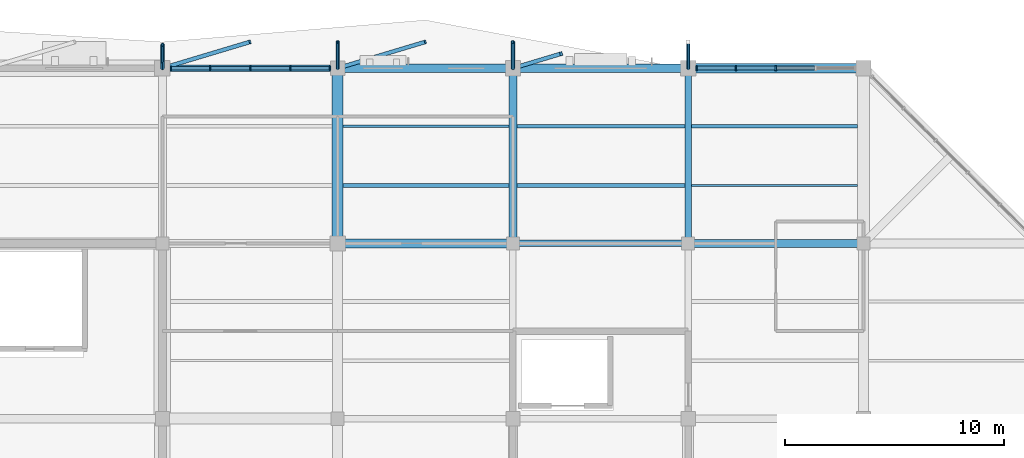
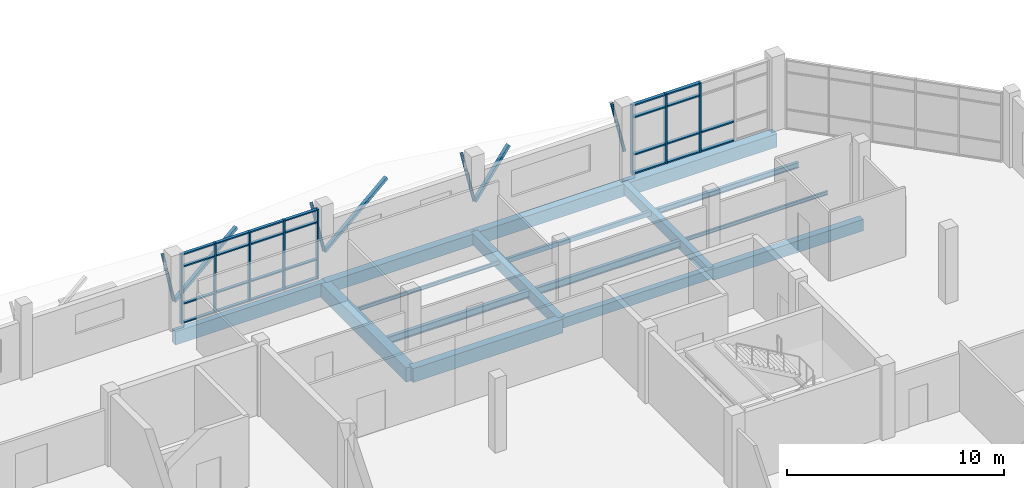
# One storey, part 33 of 84: 41 members, 16 beams, 2 elements without a shape of their own.
"""IFC4 building model written with IfcOpenShell, lengths in metres."""

from ifc_helpers import new_model, si_unit, direction, frame, origin, origin_2d, place, context, subcontext, project, spatial, rectangle, hollow_rectangle, hollow_circle, i_section, extrude, material, material_profile, profile_set, type_object, element, aggregate, save


model = new_model("IFC4")

# Units and contexts
model_context = context("Model", 3, precision=1e-05, world=origin(), true_north=direction((0.0, 1.0)))
body_context = subcontext(model_context, "Body", "Model", "MODEL_VIEW")
ifc_project = project(units=[si_unit("LENGTHUNIT", "METRE"), si_unit("AREAUNIT", "SQUARE_METRE"), si_unit("VOLUMEUNIT", "CUBIC_METRE"), si_unit("PLANEANGLEUNIT", "RADIAN"), si_unit("MASSUNIT", "GRAM", prefix="KILO")], contexts=[model_context])

# Site, building, storey
site_placement = place(None, origin())
site = spatial("IfcSite", under=ifc_project, at=site_placement, CompositionType="ELEMENT")
building_placement = place(site_placement, origin())
building = spatial("IfcBuilding", under=site, at=building_placement, Name="Tenunan Teduh Sports Hall", CompositionType="ELEMENT")
storey_placement = place(building_placement, frame((0.0, 0.0, 10.800048828125)))
storey = spatial("IfcBuildingStorey", under=building, at=storey_placement, Name="L02", CompositionType="ELEMENT", Elevation=10.800048828125)

# Beams
ifc_material_1 = material(Name="Concrete C40/50", Category="concrete")
ifc_material_profile_1 = material_profile(ifc_material_1, rectangle(XDim=0.300048828125, YDim=0.550048828125, at=origin_2d()), Name="RCB 300x550")
ifc_profile_set_1 = profile_set([ifc_material_profile_1], Name="Concrete C40/50")
beam_type_1 = type_object("IfcBeamType", Name="BM-RC-300x550", PredefinedType="BEAM", material=ifc_profile_set_1)
beam_1_placement = place(storey_placement, frame((54.0, 110.0, -0.53515625), z_axis=(1.0, 0.0, 0.0), x_axis=(0.0, 1.0, 0.0)))
element("IfcBeam", 1, at=beam_1_placement, inside=storey, type_object=beam_type_1, Name="BM-B-02-L02-1547", PredefinedType="BEAM", context=body_context, shape_type="SweptSolid", body=[
    extrude(rectangle(XDim=0.300048828125, YDim=0.550048828125, at=origin_2d()), origin(), (0.0, 0.0, 1.0), 8.0),
])
ifc_material_2 = material(Name="Concrete C40/50", Category="concrete")
ifc_material_profile_2 = material_profile(ifc_material_2, rectangle(XDim=0.300048828125, YDim=0.60009765625, at=origin_2d()), Name="RCB 300x600")
ifc_profile_set_2 = profile_set([ifc_material_profile_2], Name="Concrete C40/50")
beam_type_2 = type_object("IfcBeamType", Name="BM-RC-300x600", PredefinedType="BEAM", material=ifc_profile_set_2)
beam_2_placement = place(storey_placement, frame((62.0, 110.0, -0.56005859375), z_axis=(0.0, 1.0, 0.0), x_axis=(-1.0, 0.0, 0.0)))
element("IfcBeam", 2, at=beam_2_placement, inside=storey, type_object=beam_type_2, Name="BM-B-03-L02-1615", PredefinedType="BEAM", context=body_context, shape_type="SweptSolid", body=[
    extrude(rectangle(XDim=0.300048828125, YDim=0.60009765625, at=origin_2d()), origin(), (0.0, 0.0, 1.0), 8.0),
])
ifc_material_3 = material(Name="Concrete C40/50", Category="concrete")
ifc_material_profile_3 = material_profile(ifc_material_3, rectangle(XDim=0.35009765625, YDim=0.64990234375, at=origin_2d()), Name="RCB 350x650")
ifc_profile_set_3 = profile_set([ifc_material_profile_3], Name="Concrete C40/50")
beam_type_3 = type_object("IfcBeamType", Name="BM-RC-350x650", PredefinedType="BEAM", material=ifc_profile_set_3)
for number, where, z_axis, x_axis, name in (
    (3, (62.0, 110.0, -0.5849609375), (1.0, 0.0, 0.0), (0.0, 1.0, 0.0), "BM-B-05-L02-1548"),
    (4, (54.0, 110.0, -0.5849609375), (0.0, 1.0, 0.0), (-1.0, 0.0, 0.0), "BM-B-05-L02-1611"),
):
    element("IfcBeam", number, at=place(storey_placement, frame(where, z_axis=z_axis, x_axis=x_axis)), inside=storey, type_object=beam_type_3, Name=name, PredefinedType="BEAM", context=body_context, shape_type="SweptSolid", body=[
        extrude(rectangle(XDim=0.35009765625, YDim=0.64990234375, at=origin_2d()), origin(), (0.0, 0.0, 1.0), 8.0),
    ])
ifc_material_4 = material(Name="Concrete C40/50", Category="concrete")
ifc_material_profile_4 = material_profile(ifc_material_4, rectangle(XDim=0.39990234375, YDim=0.64990234375, at=origin_2d()), Name="RCB 400x650")
ifc_profile_set_4 = profile_set([ifc_material_profile_4], Name="Concrete C40/50")
beam_type_4 = type_object("IfcBeamType", Name="BM-RC-400x650", PredefinedType="BEAM", material=ifc_profile_set_4)
beam_3_placement = place(storey_placement, frame((46.0, 118.0, -0.5849609375), z_axis=(1.0, 0.0, 0.0), x_axis=(0.0, 1.0, 0.0)))
element("IfcBeam", 5, at=beam_3_placement, inside=storey, type_object=beam_type_4, Name="BM-B-07-L02-1562", PredefinedType="BEAM", context=body_context, shape_type="SweptSolid", body=[
    extrude(rectangle(XDim=0.39990234375, YDim=0.64990234375, at=origin_2d()), origin(), (0.0, 0.0, 1.0), 8.0),
])
ifc_material_5 = material(Name="Concrete C40/50", Category="concrete")
ifc_material_profile_5 = material_profile(ifc_material_5, rectangle(XDim=0.39990234375, YDim=0.699951171875, at=origin_2d()), Name="RCB 400x700")
ifc_profile_set_5 = profile_set([ifc_material_profile_5], Name="Concrete C40/50")
beam_type_5 = type_object("IfcBeamType", Name="BM-RC-400x700", PredefinedType="BEAM", material=ifc_profile_set_5)
beam_4_placement = place(storey_placement, frame((54.0, 118.0, -0.610107421875), z_axis=(1.0, 0.0, 0.0), x_axis=(0.0, 1.0, 0.0)))
element("IfcBeam", 6, at=beam_4_placement, inside=storey, type_object=beam_type_5, Name="BM-B-08-L02-1563", PredefinedType="BEAM", context=body_context, shape_type="SweptSolid", body=[
    extrude(rectangle(XDim=0.39990234375, YDim=0.699951171875, at=origin_2d()), origin(), (0.0, 0.0, 1.0), 8.0),
])
ifc_material_6 = material(Name="Concrete C40/50", Category="concrete")
ifc_material_profile_6 = material_profile(ifc_material_6, rectangle(XDim=0.449951171875, YDim=0.75, at=origin_2d()), Name="RCB 450x750")
ifc_profile_set_6 = profile_set([ifc_material_profile_6], Name="Concrete C40/50")
beam_type_6 = type_object("IfcBeamType", Name="BM-RC-450x750", PredefinedType="BEAM", material=ifc_profile_set_6)
beam_5_placement = place(storey_placement, frame((62.0, 118.0, -0.635009765625), z_axis=(1.0, 0.0, 0.0), x_axis=(0.0, 1.0, 0.0)))
element("IfcBeam", 7, at=beam_5_placement, inside=storey, type_object=beam_type_6, Name="BM-B-11-L02-1564", PredefinedType="BEAM", context=body_context, shape_type="SweptSolid", body=[
    extrude(rectangle(XDim=0.449951171875, YDim=0.75, at=origin_2d()), origin(), (0.0, 0.0, 1.0), 8.0),
])
ifc_material_7 = material(Name="Concrete C40/50", Category="concrete")
ifc_material_profile_7 = material_profile(ifc_material_7, rectangle(XDim=0.5, YDim=0.800048828125, at=origin_2d()), Name="RCB 500x800")
ifc_profile_set_7 = profile_set([ifc_material_profile_7], Name="Concrete C40/50")
beam_type_7 = type_object("IfcBeamType", Name="BM-RC-500x800", PredefinedType="BEAM", material=ifc_profile_set_7)
beam_6_placement = place(storey_placement, frame((46.0, 110.0, -0.66015625), z_axis=(0.0, 1.0, 0.0), x_axis=(-1.0, 0.0, 0.0)))
element("IfcBeam", 8, at=beam_6_placement, inside=storey, type_object=beam_type_7, Name="BM-B-14-L02-1607", PredefinedType="BEAM", context=body_context, shape_type="SweptSolid", body=[
    extrude(rectangle(XDim=0.5, YDim=0.800048828125, at=origin_2d()), origin(), (0.0, 0.0, 1.0), 8.0),
])
ifc_material_8 = material(Name="Concrete C40/50", Category="concrete")
ifc_material_profile_8 = material_profile(ifc_material_8, rectangle(XDim=0.300048828125, YDim=0.75, at=origin_2d()), Name="SPB 300x750")
ifc_profile_set_8 = profile_set([ifc_material_profile_8], Name="Concrete C40/50")
beam_type_8 = type_object("IfcBeamType", Name="BM-SP-300x750", PredefinedType="SPANDREL", material=ifc_profile_set_8)
beam_7_placement = place(storey_placement, frame((38.0, 118.0, -0.635009765625), z_axis=(1.0, 0.0, 0.0), x_axis=(0.0, 1.0, 0.0)))
element("IfcBeam", 9, at=beam_7_placement, inside=storey, type_object=beam_type_8, Name="BM-SP-01-L02-1561", PredefinedType="SPANDREL", context=body_context, shape_type="SweptSolid", body=[
    extrude(rectangle(XDim=0.300048828125, YDim=0.75, at=origin_2d()), origin(), (0.0, 0.0, 1.0), 8.0),
])
ifc_material_9 = material(Name="Concrete C40/50", Category="concrete")
ifc_material_profile_9 = material_profile(ifc_material_9, rectangle(XDim=0.39990234375, YDim=0.780029296875, at=origin_2d()), Name="TB 400x780")
ifc_profile_set_9 = profile_set([ifc_material_profile_9], Name="Concrete C40/50")
beam_type_9 = type_object("IfcBeamType", Name="BM-TB-400x780", PredefinedType="T_BEAM", material=ifc_profile_set_9)
beam_8_placement = place(storey_placement, frame((46.0, 110.0, -0.650146484375), z_axis=(1.0, 0.0, 0.0), x_axis=(0.0, 1.0, 0.0)))
element("IfcBeam", 10, at=beam_8_placement, inside=storey, type_object=beam_type_9, Name="BM-TB-02-L02-1546", PredefinedType="T_BEAM", context=body_context, shape_type="SweptSolid", body=[
    extrude(rectangle(XDim=0.39990234375, YDim=0.780029296875, at=origin_2d()), origin(), (0.0, 0.0, 1.0), 8.0),
])

# Curtain wall, members
ifc_material_10 = material(Name="Anodised aluminium", Category="aluminium")
curtain_wall_type = type_object("IfcCurtainWallType", Name="CW-UNIT-2", PredefinedType="NOTDEFINED", material=ifc_material_10)
curtain_wall_1_placement = place(storey_placement, origin())
curtain_wall_1 = element("IfcCurtainWall", 11, at=curtain_wall_1_placement, inside=storey, type_object=curtain_wall_type, Name="CW-CWM-200-L02-216", PredefinedType="NOTDEFINED")
ifc_material_11 = material(Name="Anodised aluminium", Category="aluminium")
ifc_material_profile_10 = material_profile(ifc_material_11, rectangle(XDim=0.070068359375, YDim=0.199951171875, at=origin_2d()), Name="CWM 70x200")
ifc_profile_set_10 = profile_set([ifc_material_profile_10], Name="Anodised aluminium")
member_type_1 = type_object("IfcMemberType", Name="CWM-200", PredefinedType="MULLION", material=ifc_profile_set_10)
member_1_placement = place(storey_placement, frame((38.385009765625, 118.0, 0.0), z_axis=(0.0, 0.0, 1.0), x_axis=(1.0, 0.0, 0.0)))
member_1 = element("IfcMember", 12, at=member_1_placement, type_object=member_type_1, Name="CW-02 mullion 1", PredefinedType="MULLION", context=body_context, shape_type="SweptSolid", body=[
    extrude(rectangle(XDim=0.070068359375, YDim=0.199951171875, at=origin_2d()), origin(), (0.0, 0.0, 1.0), 3.919921875),
])
member_2_placement = place(storey_placement, frame((40.18115234375, 118.0, 0.0), z_axis=(0.0, 0.0, 1.0), x_axis=(1.0, 0.0, 0.0)))
member_2 = element("IfcMember", 13, at=member_2_placement, type_object=member_type_1, Name="CW-02 mullion 2", PredefinedType="MULLION", context=body_context, shape_type="SweptSolid", body=[
    extrude(rectangle(XDim=0.070068359375, YDim=0.199951171875, at=origin_2d()), origin(), (0.0, 0.0, 1.0), 3.919921875),
])
member_3_placement = place(storey_placement, frame((42.012451171875, 118.0, 0.0), z_axis=(0.0, 0.0, 1.0), x_axis=(1.0, 0.0, 0.0)))
member_3 = element("IfcMember", 14, at=member_3_placement, type_object=member_type_1, Name="CW-02 mullion 3", PredefinedType="MULLION", context=body_context, shape_type="SweptSolid", body=[
    extrude(rectangle(XDim=0.070068359375, YDim=0.199951171875, at=origin_2d()), origin(), (0.0, 0.0, 1.0), 3.919921875),
])
member_4_placement = place(storey_placement, frame((43.84375, 118.0, 0.0), z_axis=(0.0, 0.0, 1.0), x_axis=(1.0, 0.0, 0.0)))
member_4 = element("IfcMember", 15, at=member_4_placement, type_object=member_type_1, Name="CW-02 mullion 4", PredefinedType="MULLION", context=body_context, shape_type="SweptSolid", body=[
    extrude(rectangle(XDim=0.070068359375, YDim=0.199951171875, at=origin_2d()), origin(), (0.0, 0.0, 1.0), 3.919921875),
])
member_5_placement = place(storey_placement, frame((45.639892578125, 118.0, 0.0), z_axis=(0.0, 0.0, 1.0), x_axis=(1.0, 0.0, 0.0)))
member_5 = element("IfcMember", 16, at=member_5_placement, type_object=member_type_1, Name="CW-02 mullion 5", PredefinedType="MULLION", context=body_context, shape_type="SweptSolid", body=[
    extrude(rectangle(XDim=0.070068359375, YDim=0.199951171875, at=origin_2d()), origin(), (0.0, 0.0, 1.0), 3.919921875),
])

curtain_wall_2_placement = place(storey_placement, origin())
curtain_wall_2 = element("IfcCurtainWall", 17, at=curtain_wall_2_placement, inside=storey, type_object=curtain_wall_type, Name="CW-CWM-220-L02-217", PredefinedType="NOTDEFINED")
ifc_material_12 = material(Name="Anodised aluminium", Category="aluminium")
ifc_material_profile_11 = material_profile(ifc_material_12, rectangle(XDim=0.074951171875, YDim=0.219970703125, at=origin_2d()), Name="CWM 75x220")
ifc_profile_set_11 = profile_set([ifc_material_profile_11], Name="Anodised aluminium")
member_type_2 = type_object("IfcMemberType", Name="CWM-220", PredefinedType="MULLION", material=ifc_profile_set_11)
member_6_placement = place(storey_placement, frame((62.387451171875, 118.0, 0.0), z_axis=(0.0, 0.0, 1.0), x_axis=(1.0, 0.0, 0.0)))
member_6 = element("IfcMember", 18, at=member_6_placement, type_object=member_type_2, Name="CW-02 mullion 1", PredefinedType="MULLION", context=body_context, shape_type="SweptSolid", body=[
    extrude(rectangle(XDim=0.074951171875, YDim=0.219970703125, at=origin_2d()), origin(), (0.0, 0.0, 1.0), 3.919921875),
])
member_7_placement = place(storey_placement, frame((64.175048828125, 118.0, 0.0), z_axis=(0.0, 0.0, 1.0), x_axis=(1.0, 0.0, 0.0)))
member_7 = element("IfcMember", 19, at=member_7_placement, type_object=member_type_2, Name="CW-02 mullion 2", PredefinedType="MULLION", context=body_context, shape_type="SweptSolid", body=[
    extrude(rectangle(XDim=0.074951171875, YDim=0.219970703125, at=origin_2d()), origin(), (0.0, 0.0, 1.0), 3.919921875),
])
member_8_placement = place(storey_placement, frame((66.0, 118.0, 0.0), z_axis=(0.0, 0.0, 1.0), x_axis=(1.0, 0.0, 0.0)))
member_8 = element("IfcMember", 20, at=member_8_placement, type_object=member_type_2, Name="CW-02 mullion 3", PredefinedType="MULLION", context=body_context, shape_type="SweptSolid", body=[
    extrude(rectangle(XDim=0.074951171875, YDim=0.219970703125, at=origin_2d()), origin(), (0.0, 0.0, 1.0), 3.919921875),
])
ifc_material_13 = material(Name="Anodised aluminium", Category="aluminium")
ifc_material_profile_12 = material_profile(ifc_material_13, rectangle(XDim=0.074951171875, YDim=0.179931640625, at=origin_2d()), Name="CWT 75x180")
ifc_profile_set_12 = profile_set([ifc_material_profile_12], Name="Anodised aluminium")
member_type_3 = type_object("IfcMemberType", Name="CWT-180", PredefinedType="USERDEFINED", material=ifc_profile_set_12)
member_9_placement = place(storey_placement, frame((62.425048828125, 118.0, 0.037353515625), z_axis=(1.0, 0.0, 0.0), x_axis=(0.0, 0.0, 1.0)))
member_9 = element("IfcMember", 21, at=member_9_placement, type_object=member_type_3, Name="CW-02 transom 1.1", ObjectType="TRANSOM", PredefinedType="USERDEFINED", context=body_context, shape_type="SweptSolid", body=[
    extrude(rectangle(XDim=0.074951171875, YDim=0.179931640625, at=origin_2d()), origin(), (0.0, 0.0, 1.0), 1.71240234375),
])
member_10_placement = place(storey_placement, frame((62.425048828125, 118.0, 1.099853515625), z_axis=(1.0, 0.0, 0.0), x_axis=(0.0, 0.0, 1.0)))
member_10 = element("IfcMember", 22, at=member_10_placement, type_object=member_type_3, Name="CW-02 transom 1.2", ObjectType="TRANSOM", PredefinedType="USERDEFINED", context=body_context, shape_type="SweptSolid", body=[
    extrude(rectangle(XDim=0.074951171875, YDim=0.179931640625, at=origin_2d()), origin(), (0.0, 0.0, 1.0), 1.71240234375),
])
member_11_placement = place(storey_placement, frame((62.425048828125, 118.0, 3.199951171875), z_axis=(1.0, 0.0, 0.0), x_axis=(0.0, 0.0, 1.0)))
member_11 = element("IfcMember", 23, at=member_11_placement, type_object=member_type_3, Name="CW-02 transom 1.3", ObjectType="TRANSOM", PredefinedType="USERDEFINED", context=body_context, shape_type="SweptSolid", body=[
    extrude(rectangle(XDim=0.074951171875, YDim=0.179931640625, at=origin_2d()), origin(), (0.0, 0.0, 1.0), 1.71240234375),
])
member_12_placement = place(storey_placement, frame((62.425048828125, 118.0, 3.882568359375), z_axis=(1.0, 0.0, 0.0), x_axis=(0.0, 0.0, 1.0)))
member_12 = element("IfcMember", 24, at=member_12_placement, type_object=member_type_3, Name="CW-02 transom 1.4", ObjectType="TRANSOM", PredefinedType="USERDEFINED", context=body_context, shape_type="SweptSolid", body=[
    extrude(rectangle(XDim=0.074951171875, YDim=0.179931640625, at=origin_2d()), origin(), (0.0, 0.0, 1.0), 1.71240234375),
])
member_13_placement = place(storey_placement, frame((64.21240234375, 118.0, 0.037353515625), z_axis=(1.0, 0.0, 0.0), x_axis=(0.0, 0.0, 1.0)))
member_13 = element("IfcMember", 25, at=member_13_placement, type_object=member_type_3, Name="CW-02 transom 2.1", ObjectType="TRANSOM", PredefinedType="USERDEFINED", context=body_context, shape_type="SweptSolid", body=[
    extrude(rectangle(XDim=0.074951171875, YDim=0.179931640625, at=origin_2d()), origin(), (0.0, 0.0, 1.0), 1.75),
])
member_14_placement = place(storey_placement, frame((64.21240234375, 118.0, 1.099853515625), z_axis=(1.0, 0.0, 0.0), x_axis=(0.0, 0.0, 1.0)))
member_14 = element("IfcMember", 26, at=member_14_placement, type_object=member_type_3, Name="CW-02 transom 2.2", ObjectType="TRANSOM", PredefinedType="USERDEFINED", context=body_context, shape_type="SweptSolid", body=[
    extrude(rectangle(XDim=0.074951171875, YDim=0.179931640625, at=origin_2d()), origin(), (0.0, 0.0, 1.0), 1.75),
])
member_15_placement = place(storey_placement, frame((64.21240234375, 118.0, 3.199951171875), z_axis=(1.0, 0.0, 0.0), x_axis=(0.0, 0.0, 1.0)))
member_15 = element("IfcMember", 27, at=member_15_placement, type_object=member_type_3, Name="CW-02 transom 2.3", ObjectType="TRANSOM", PredefinedType="USERDEFINED", context=body_context, shape_type="SweptSolid", body=[
    extrude(rectangle(XDim=0.074951171875, YDim=0.179931640625, at=origin_2d()), origin(), (0.0, 0.0, 1.0), 1.75),
])
member_16_placement = place(storey_placement, frame((64.21240234375, 118.0, 3.882568359375), z_axis=(1.0, 0.0, 0.0), x_axis=(0.0, 0.0, 1.0)))
member_16 = element("IfcMember", 28, at=member_16_placement, type_object=member_type_3, Name="CW-02 transom 2.4", ObjectType="TRANSOM", PredefinedType="USERDEFINED", context=body_context, shape_type="SweptSolid", body=[
    extrude(rectangle(XDim=0.074951171875, YDim=0.179931640625, at=origin_2d()), origin(), (0.0, 0.0, 1.0), 1.75),
])
member_17_placement = place(storey_placement, frame((66.03759765625, 118.0, 0.037353515625), z_axis=(1.0, 0.0, 0.0), x_axis=(0.0, 0.0, 1.0)))
member_17 = element("IfcMember", 29, at=member_17_placement, type_object=member_type_3, Name="CW-02 transom 3.1", ObjectType="TRANSOM", PredefinedType="USERDEFINED", context=body_context, shape_type="SweptSolid", body=[
    extrude(rectangle(XDim=0.074951171875, YDim=0.179931640625, at=origin_2d()), origin(), (0.0, 0.0, 1.0), 1.75),
])
member_18_placement = place(storey_placement, frame((66.03759765625, 118.0, 1.099853515625), z_axis=(1.0, 0.0, 0.0), x_axis=(0.0, 0.0, 1.0)))
member_18 = element("IfcMember", 30, at=member_18_placement, type_object=member_type_3, Name="CW-02 transom 3.2", ObjectType="TRANSOM", PredefinedType="USERDEFINED", context=body_context, shape_type="SweptSolid", body=[
    extrude(rectangle(XDim=0.074951171875, YDim=0.179931640625, at=origin_2d()), origin(), (0.0, 0.0, 1.0), 1.75),
])
aggregate(curtain_wall_2, [member_6, member_7, member_8, member_9, member_10, member_11, member_12, member_13, member_14, member_15, member_16, member_17, member_18])

# Member
ifc_material_14 = material(Name="Anodised aluminium", Category="aluminium")
ifc_material_profile_13 = material_profile(ifc_material_14, rectangle(XDim=0.070068359375, YDim=0.159912109375, at=origin_2d()), Name="CWT 70x160")
ifc_profile_set_13 = profile_set([ifc_material_profile_13], Name="Anodised aluminium")
member_type_4 = type_object("IfcMemberType", Name="CWT-200", PredefinedType="USERDEFINED", material=ifc_profile_set_13)
member_19_placement = place(storey_placement, frame((38.419921875, 118.0, 0.034912109375), z_axis=(1.0, 0.0, 0.0), x_axis=(0.0, 0.0, 1.0)))
member_19 = element("IfcMember", 31, at=member_19_placement, type_object=member_type_4, Name="CW-02 transom 1.1", ObjectType="TRANSOM", PredefinedType="USERDEFINED", context=body_context, shape_type="SweptSolid", body=[
    extrude(rectangle(XDim=0.070068359375, YDim=0.159912109375, at=origin_2d()), origin(), (0.0, 0.0, 1.0), 1.726318359375),
])

member_20_placement = place(storey_placement, frame((38.419921875, 118.0, 1.099853515625), z_axis=(1.0, 0.0, 0.0), x_axis=(0.0, 0.0, 1.0)))
member_20 = element("IfcMember", 32, at=member_20_placement, type_object=member_type_4, Name="CW-02 transom 1.2", ObjectType="TRANSOM", PredefinedType="USERDEFINED", context=body_context, shape_type="SweptSolid", body=[
    extrude(rectangle(XDim=0.070068359375, YDim=0.159912109375, at=origin_2d()), origin(), (0.0, 0.0, 1.0), 1.726318359375),
])

member_21_placement = place(storey_placement, frame((38.419921875, 118.0, 3.199951171875), z_axis=(1.0, 0.0, 0.0), x_axis=(0.0, 0.0, 1.0)))
member_21 = element("IfcMember", 33, at=member_21_placement, type_object=member_type_4, Name="CW-02 transom 1.3", ObjectType="TRANSOM", PredefinedType="USERDEFINED", context=body_context, shape_type="SweptSolid", body=[
    extrude(rectangle(XDim=0.070068359375, YDim=0.159912109375, at=origin_2d()), origin(), (0.0, 0.0, 1.0), 1.726318359375),
])

member_22_placement = place(storey_placement, frame((38.419921875, 118.0, 3.885009765625), z_axis=(1.0, 0.0, 0.0), x_axis=(0.0, 0.0, 1.0)))
member_22 = element("IfcMember", 34, at=member_22_placement, type_object=member_type_4, Name="CW-02 transom 1.4", ObjectType="TRANSOM", PredefinedType="USERDEFINED", context=body_context, shape_type="SweptSolid", body=[
    extrude(rectangle(XDim=0.070068359375, YDim=0.159912109375, at=origin_2d()), origin(), (0.0, 0.0, 1.0), 1.726318359375),
])

member_23_placement = place(storey_placement, frame((40.21630859375, 118.0, 0.034912109375), z_axis=(1.0, 0.0, 0.0), x_axis=(0.0, 0.0, 1.0)))
member_23 = element("IfcMember", 35, at=member_23_placement, type_object=member_type_4, Name="CW-02 transom 2.1", ObjectType="TRANSOM", PredefinedType="USERDEFINED", context=body_context, shape_type="SweptSolid", body=[
    extrude(rectangle(XDim=0.070068359375, YDim=0.159912109375, at=origin_2d()), origin(), (0.0, 0.0, 1.0), 1.76123046875),
])

member_24_placement = place(storey_placement, frame((40.21630859375, 118.0, 1.099853515625), z_axis=(1.0, 0.0, 0.0), x_axis=(0.0, 0.0, 1.0)))
member_24 = element("IfcMember", 36, at=member_24_placement, type_object=member_type_4, Name="CW-02 transom 2.2", ObjectType="TRANSOM", PredefinedType="USERDEFINED", context=body_context, shape_type="SweptSolid", body=[
    extrude(rectangle(XDim=0.070068359375, YDim=0.159912109375, at=origin_2d()), origin(), (0.0, 0.0, 1.0), 1.76123046875),
])

member_25_placement = place(storey_placement, frame((40.21630859375, 118.0, 3.199951171875), z_axis=(1.0, 0.0, 0.0), x_axis=(0.0, 0.0, 1.0)))
member_25 = element("IfcMember", 37, at=member_25_placement, type_object=member_type_4, Name="CW-02 transom 2.3", ObjectType="TRANSOM", PredefinedType="USERDEFINED", context=body_context, shape_type="SweptSolid", body=[
    extrude(rectangle(XDim=0.070068359375, YDim=0.159912109375, at=origin_2d()), origin(), (0.0, 0.0, 1.0), 1.76123046875),
])

member_26_placement = place(storey_placement, frame((40.21630859375, 118.0, 3.885009765625), z_axis=(1.0, 0.0, 0.0), x_axis=(0.0, 0.0, 1.0)))
member_26 = element("IfcMember", 38, at=member_26_placement, type_object=member_type_4, Name="CW-02 transom 2.4", ObjectType="TRANSOM", PredefinedType="USERDEFINED", context=body_context, shape_type="SweptSolid", body=[
    extrude(rectangle(XDim=0.070068359375, YDim=0.159912109375, at=origin_2d()), origin(), (0.0, 0.0, 1.0), 1.76123046875),
])

member_27_placement = place(storey_placement, frame((42.047607421875, 118.0, 0.034912109375), z_axis=(1.0, 0.0, 0.0), x_axis=(0.0, 0.0, 1.0)))
member_27 = element("IfcMember", 39, at=member_27_placement, type_object=member_type_4, Name="CW-02 transom 3.1", ObjectType="TRANSOM", PredefinedType="USERDEFINED", context=body_context, shape_type="SweptSolid", body=[
    extrude(rectangle(XDim=0.070068359375, YDim=0.159912109375, at=origin_2d()), origin(), (0.0, 0.0, 1.0), 1.76123046875),
])

member_28_placement = place(storey_placement, frame((42.047607421875, 118.0, 1.099853515625), z_axis=(1.0, 0.0, 0.0), x_axis=(0.0, 0.0, 1.0)))
member_28 = element("IfcMember", 40, at=member_28_placement, type_object=member_type_4, Name="CW-02 transom 3.2", ObjectType="TRANSOM", PredefinedType="USERDEFINED", context=body_context, shape_type="SweptSolid", body=[
    extrude(rectangle(XDim=0.070068359375, YDim=0.159912109375, at=origin_2d()), origin(), (0.0, 0.0, 1.0), 1.76123046875),
])

member_29_placement = place(storey_placement, frame((42.047607421875, 118.0, 3.199951171875), z_axis=(1.0, 0.0, 0.0), x_axis=(0.0, 0.0, 1.0)))
member_29 = element("IfcMember", 41, at=member_29_placement, type_object=member_type_4, Name="CW-02 transom 3.3", ObjectType="TRANSOM", PredefinedType="USERDEFINED", context=body_context, shape_type="SweptSolid", body=[
    extrude(rectangle(XDim=0.070068359375, YDim=0.159912109375, at=origin_2d()), origin(), (0.0, 0.0, 1.0), 1.76123046875),
])

member_30_placement = place(storey_placement, frame((42.047607421875, 118.0, 3.885009765625), z_axis=(1.0, 0.0, 0.0), x_axis=(0.0, 0.0, 1.0)))
member_30 = element("IfcMember", 42, at=member_30_placement, type_object=member_type_4, Name="CW-02 transom 3.4", ObjectType="TRANSOM", PredefinedType="USERDEFINED", context=body_context, shape_type="SweptSolid", body=[
    extrude(rectangle(XDim=0.070068359375, YDim=0.159912109375, at=origin_2d()), origin(), (0.0, 0.0, 1.0), 1.76123046875),
])

member_31_placement = place(storey_placement, frame((43.878662109375, 118.0, 0.034912109375), z_axis=(1.0, 0.0, 0.0), x_axis=(0.0, 0.0, 1.0)))
member_31 = element("IfcMember", 43, at=member_31_placement, type_object=member_type_4, Name="CW-02 transom 4.1", ObjectType="TRANSOM", PredefinedType="USERDEFINED", context=body_context, shape_type="SweptSolid", body=[
    extrude(rectangle(XDim=0.070068359375, YDim=0.159912109375, at=origin_2d()), origin(), (0.0, 0.0, 1.0), 1.726318359375),
])

member_32_placement = place(storey_placement, frame((43.878662109375, 118.0, 1.099853515625), z_axis=(1.0, 0.0, 0.0), x_axis=(0.0, 0.0, 1.0)))
member_32 = element("IfcMember", 44, at=member_32_placement, type_object=member_type_4, Name="CW-02 transom 4.2", ObjectType="TRANSOM", PredefinedType="USERDEFINED", context=body_context, shape_type="SweptSolid", body=[
    extrude(rectangle(XDim=0.070068359375, YDim=0.159912109375, at=origin_2d()), origin(), (0.0, 0.0, 1.0), 1.726318359375),
])

member_33_placement = place(storey_placement, frame((43.878662109375, 118.0, 3.199951171875), z_axis=(1.0, 0.0, 0.0), x_axis=(0.0, 0.0, 1.0)))
member_33 = element("IfcMember", 45, at=member_33_placement, type_object=member_type_4, Name="CW-02 transom 4.3", ObjectType="TRANSOM", PredefinedType="USERDEFINED", context=body_context, shape_type="SweptSolid", body=[
    extrude(rectangle(XDim=0.070068359375, YDim=0.159912109375, at=origin_2d()), origin(), (0.0, 0.0, 1.0), 1.726318359375),
])

member_34_placement = place(storey_placement, frame((43.878662109375, 118.0, 3.885009765625), z_axis=(1.0, 0.0, 0.0), x_axis=(0.0, 0.0, 1.0)))
member_34 = element("IfcMember", 46, at=member_34_placement, type_object=member_type_4, Name="CW-02 transom 4.4", ObjectType="TRANSOM", PredefinedType="USERDEFINED", context=body_context, shape_type="SweptSolid", body=[
    extrude(rectangle(XDim=0.070068359375, YDim=0.159912109375, at=origin_2d()), origin(), (0.0, 0.0, 1.0), 1.726318359375),
])

aggregate(curtain_wall_1, [member_1, member_2, member_3, member_4, member_5, member_19, member_20, member_21, member_22, member_23, member_24, member_25, member_26, member_27, member_28, member_29, member_30, member_31, member_32, member_33, member_34])

# Beams
ifc_material_15 = material(Name="Steel S355", Category="steel")
ifc_material_profile_14 = material_profile(ifc_material_15, i_section(OverallWidth=0.10009765625, OverallDepth=0.199951171875, WebThickness=0.005615234375, FlangeThickness=0.008544921875, FilletRadius=0.011962890625, at=origin_2d()), Name="IPE 200")
ifc_profile_set_14 = profile_set([ifc_material_profile_14], Name="Steel S355")
beam_type_10 = type_object("IfcBeamType", Name="JST-IPE200", PredefinedType="JOIST", material=ifc_profile_set_14)
beam_9_placement = place(storey_placement, frame((46.25, 115.35009765625, -0.360107421875), z_axis=(1.0, 0.0, 0.0), x_axis=(0.0, 1.0, 0.0)))
element("IfcBeam", 47, at=beam_9_placement, inside=storey, type_object=beam_type_10, Name="BM-J-01-L02-1731", PredefinedType="JOIST", context=body_context, shape_type="SweptSolid", body=[
    extrude(i_section(OverallWidth=0.10009765625, OverallDepth=0.199951171875, WebThickness=0.005615234375, FlangeThickness=0.008544921875, FilletRadius=0.011962890625, at=origin_2d()), origin(), (0.0, 0.0, 1.0), 7.574951171875),
])
beam_10_placement = place(storey_placement, frame((62.14990234375, 112.64990234375, -0.360107421875), z_axis=(1.0, 0.0, 0.0), x_axis=(0.0, 1.0, 0.0)))
element("IfcBeam", 48, at=beam_10_placement, inside=storey, type_object=beam_type_10, Name="BM-J-01-L02-1742", PredefinedType="JOIST", context=body_context, shape_type="SweptSolid", body=[
    extrude(i_section(OverallWidth=0.10009765625, OverallDepth=0.199951171875, WebThickness=0.005615234375, FlangeThickness=0.008544921875, FilletRadius=0.011962890625, at=origin_2d()), origin(), (0.0, 0.0, 1.0), 7.5751953125),
])
ifc_material_16 = material(Name="Steel S355", Category="steel")
ifc_material_profile_15 = material_profile(ifc_material_16, i_section(OverallWidth=0.179931640625, OverallDepth=0.39990234375, WebThickness=0.008544921875, FlangeThickness=0.013427734375, FilletRadius=0.02099609375, at=origin_2d()), Name="IPE 400")
ifc_profile_set_15 = profile_set([ifc_material_profile_15], Name="Steel S355")
beam_type_11 = type_object("IfcBeamType", Name="JST-IPE400", PredefinedType="JOIST", material=ifc_profile_set_15)
beam_11_placement = place(storey_placement, frame((46.25, 112.64990234375, -0.4599609375), z_axis=(1.0, 0.0, 0.0), x_axis=(0.0, 1.0, 0.0)))
element("IfcBeam", 49, at=beam_11_placement, inside=storey, type_object=beam_type_11, Name="BM-J-06-L02-1730", PredefinedType="JOIST", context=body_context, shape_type="SweptSolid", body=[
    extrude(i_section(OverallWidth=0.179931640625, OverallDepth=0.39990234375, WebThickness=0.008544921875, FlangeThickness=0.013427734375, FilletRadius=0.02099609375, at=origin_2d()), origin(), (0.0, 0.0, 1.0), 7.574951171875),
])

# Members
ifc_material_17 = material(Name="Steel S355", Category="steel")
ifc_material_profile_16 = material_profile(ifc_material_17, hollow_circle(Radius=0.084228515625, WallThickness=0.008056640625, at=origin_2d()), Name="CHS 168.3x8.0")
ifc_profile_set_16 = profile_set([ifc_material_profile_16], Name="Steel S355")
member_type_5 = type_object("IfcMemberType", Name="MEM-BR-CHS168", PredefinedType="BRACE", material=ifc_profile_set_16)
member_35_placement = place(storey_placement, frame((38.0, 118.0, 1.39990234375), z_axis=(0.002669880515, 0.468190247143, 0.883623655307), x_axis=(-0.999983740831, 0.005702462026, 0.0)))
element("IfcMember", 50, at=member_35_placement, inside=storey, type_object=member_type_5, Name="MEM-GD-04-L02-1245", PredefinedType="BRACE", context=body_context, shape_type="SweptSolid", body=[
    extrude(hollow_circle(Radius=0.084228515625, WallThickness=0.008056640625, at=origin_2d()), origin(), (0.0, 0.0, 1.0), 2.2861328125),
])
for number, where, z_axis, x_axis, name in (
    (51, (46.0, 118.0, 1.39990234375), (0.0, 0.510716402665, 0.859749240214), (-1.0, 0.0, 0.0), "MEM-GD-04-L02-1247"),
    (52, (54.0, 118.0, 1.39990234375), (0.0, 0.510716402665, 0.859749240214), (-1.0, 0.0, 0.0), "MEM-GD-04-L02-1249"),
    (53, (62.0, 118.0, 1.39990234375), (0.0, 0.510716402665, 0.859749240214), (-1.0, 0.0, 0.0), "MEM-GD-04-L02-1251"),
):
    element("IfcMember", number, at=place(storey_placement, frame(where, z_axis=z_axis, x_axis=x_axis)), inside=storey, type_object=member_type_5, Name=name, PredefinedType="BRACE", context=body_context, shape_type="SweptSolid", body=[
        extrude(hollow_circle(Radius=0.084228515625, WallThickness=0.008056640625, at=origin_2d()), origin(), (0.0, 0.0, 1.0), 2.349609375),
    ])
ifc_material_18 = material(Name="Steel S355", Category="steel")
ifc_material_profile_17 = material_profile(ifc_material_18, hollow_rectangle(XDim=0.179931640625, YDim=0.179931640625, WallThickness=0.010009765625, at=origin_2d()), Name="SHS 180x180x10.0")
ifc_profile_set_17 = profile_set([ifc_material_profile_17], Name="Steel S355")
member_type_6 = type_object("IfcMemberType", Name="MEM-ST-SHS180", PredefinedType="STRUT", material=ifc_profile_set_17)
for number, where, z_axis, x_axis, name in (
    (54, (38.0, 118.0, 1.39990234375), (0.862253980499, 0.258665668588, 0.435442470376), (-0.287337158709, 0.957829503213, 0.0), "MEM-VS-03-L02-1246"),
    (55, (46.0, 118.0, 1.39990234375), (0.862253980499, 0.258665668588, 0.435442470376), (-0.287337158709, 0.957829503213, 0.0), "MEM-VS-03-L02-1248"),
):
    element("IfcMember", number, at=place(storey_placement, frame(where, z_axis=z_axis, x_axis=x_axis)), inside=storey, type_object=member_type_6, Name=name, PredefinedType="STRUT", context=body_context, shape_type="SweptSolid", body=[
        extrude(hollow_rectangle(XDim=0.179931640625, YDim=0.179931640625, WallThickness=0.010009765625, at=origin_2d()), origin(), (0.0, 0.0, 1.0), 4.638916015625),
    ])
member_36_placement = place(storey_placement, frame((54.0, 118.0, 1.39990234375), z_axis=(0.719239917707, 0.215748029915, 0.660414058274), x_axis=(-0.287318629597, 0.957835061525, 0.0)))
element("IfcMember", 56, at=member_36_placement, inside=storey, type_object=member_type_6, Name="MEM-VS-03-L02-1250", PredefinedType="STRUT", context=body_context, shape_type="SweptSolid", body=[
    extrude(hollow_rectangle(XDim=0.179931640625, YDim=0.179931640625, WallThickness=0.010009765625, at=origin_2d()), origin(), (0.0, 0.0, 1.0), 3.058837890625),
])

# Beams
ifc_material_19 = material(Name="Steel S355", Category="steel")
ifc_material_profile_18 = material_profile(ifc_material_19, hollow_rectangle(XDim=0.14990234375, YDim=0.25, WallThickness=0.010009765625, at=origin_2d()), Name="RHS 250x150x10.0")
ifc_profile_set_18 = profile_set([ifc_material_profile_18], Name="Steel S355")
beam_type_12 = type_object("IfcBeamType", Name="RBM-RHS250", PredefinedType="BEAM", material=ifc_profile_set_18)
beam_12_placement = place(storey_placement, frame((54.175048828125, 115.35009765625, -0.385009765625), z_axis=(1.0, 0.0, 0.0), x_axis=(0.0, 1.0, 0.0)))
element("IfcBeam", 57, at=beam_12_placement, inside=storey, type_object=beam_type_12, Name="Perimeter Ring Beam BM-RB-04-L02-1735", PredefinedType="BEAM", context=body_context, shape_type="SweptSolid", body=[
    extrude(hollow_rectangle(XDim=0.14990234375, YDim=0.25, WallThickness=0.010009765625, at=origin_2d()), origin(), (0.0, 0.0, 1.0), 7.675048828125),
])
ifc_material_20 = material(Name="Steel S355", Category="steel")
ifc_material_profile_19 = material_profile(ifc_material_20, i_section(OverallWidth=0.1650390625, OverallDepth=0.303466796875, WebThickness=0.006103515625, FlangeThickness=0.01025390625, FilletRadius=0.0087890625, at=origin_2d()), Name="UKB 305x165x40")
ifc_profile_set_19 = profile_set([ifc_material_profile_19], Name="Steel S355")
beam_type_13 = type_object("IfcBeamType", Name="SBM-UKB305", PredefinedType="BEAM", material=ifc_profile_set_19)
beam_13_placement = place(storey_placement, frame((62.14990234375, 115.35009765625, -0.411865234375), z_axis=(1.0, 0.0, 0.0), x_axis=(0.0, 1.0, 0.0)))
element("IfcBeam", 58, at=beam_13_placement, inside=storey, type_object=beam_type_13, Name="BM-SB-01-L02-1743", PredefinedType="BEAM", context=body_context, shape_type="SweptSolid", body=[
    extrude(i_section(OverallWidth=0.1650390625, OverallDepth=0.303466796875, WebThickness=0.006103515625, FlangeThickness=0.01025390625, FilletRadius=0.0087890625, at=origin_2d()), origin(), (0.0, 0.0, 1.0), 7.5751953125),
])
ifc_material_21 = material(Name="Steel S355", Category="steel")
ifc_material_profile_20 = material_profile(ifc_material_21, i_section(OverallWidth=0.177978515625, OverallDepth=0.406494140625, WebThickness=0.0078125, FlangeThickness=0.0126953125, FilletRadius=0.01025390625, at=origin_2d()), Name="UKB 406x178x60")
ifc_profile_set_20 = profile_set([ifc_material_profile_20], Name="Steel S355")
beam_type_14 = type_object("IfcBeamType", Name="SBM-UKB406", PredefinedType="BEAM", material=ifc_profile_set_20)
beam_14_placement = place(storey_placement, frame((54.175048828125, 112.64990234375, -0.463134765625), z_axis=(1.0, 0.0, 0.0), x_axis=(0.0, 1.0, 0.0)))
element("IfcBeam", 59, at=beam_14_placement, inside=storey, type_object=beam_type_14, Name="BM-SB-03-L02-1734", PredefinedType="BEAM", context=body_context, shape_type="SweptSolid", body=[
    extrude(i_section(OverallWidth=0.177978515625, OverallDepth=0.406494140625, WebThickness=0.0078125, FlangeThickness=0.0126953125, FilletRadius=0.01025390625, at=origin_2d()), origin(), (0.0, 0.0, 1.0), 7.675048828125),
])

save(model, "model.ifc")
